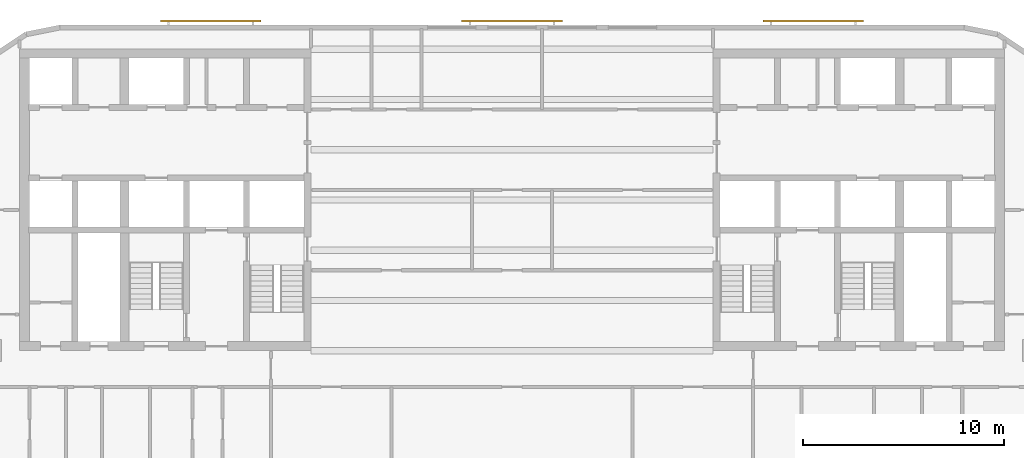
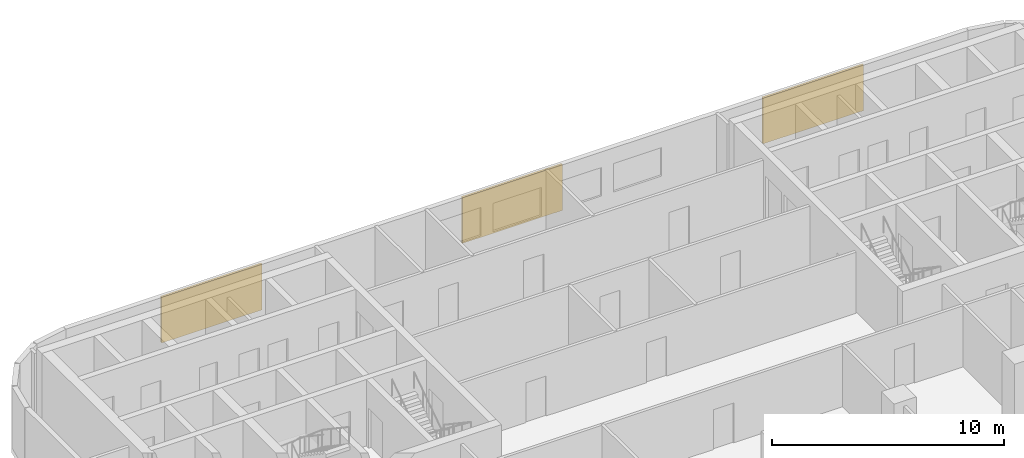
# One storey, part 10 of 11: 3 shading devices.
"""IFC4 building model written with IfcOpenShell, lengths in metres."""

from ifc_helpers import new_model, si_unit, direction, frame, origin, origin_2d, place, context, subcontext, project, spatial, rectangle, extrude, material, layer, layer_set, type_object, element, save


model = new_model("IFC4")

# Units and contexts
model_context = context("Model", 3, precision=1e-05, world=origin(), true_north=direction((0.0, 1.0)))
body_context = subcontext(model_context, "Body", "Model", "MODEL_VIEW")
ifc_project = project(units=[si_unit("LENGTHUNIT", "METRE"), si_unit("AREAUNIT", "SQUARE_METRE"), si_unit("VOLUMEUNIT", "CUBIC_METRE"), si_unit("PLANEANGLEUNIT", "RADIAN"), si_unit("MASSUNIT", "GRAM", prefix="KILO")], contexts=[model_context])

# Site, building, storey
site_placement = place(None, origin())
site = spatial("IfcSite", under=ifc_project, at=site_placement, CompositionType="ELEMENT")
building_placement = place(site_placement, origin())
building = spatial("IfcBuilding", under=site, at=building_placement, Name="Torana Hotel and Residences", CompositionType="ELEMENT")
storey_placement = place(building_placement, frame((0.0, 0.0, 222.10009765625)))
storey = spatial("IfcBuildingStorey", under=building, at=storey_placement, Name="L58", CompositionType="ELEMENT", Elevation=222.10009765625)

# Shading devices
ifc_material = material(Name="Concrete C40/50 precast", Category="concrete")
ifc_layer = layer(ifc_material, 0.10009765625)
ifc_layer_set = layer_set([ifc_layer], Name="SC1 PERFORATED BLOCK SCREEN PANEL 100")
shading_device_type = type_object("IfcShadingDeviceType", Name="SC1 PERFORATED BLOCK SCREEN PANEL 100", PredefinedType="USERDEFINED", material=ifc_layer_set)
for number, where, z_axis, x_axis, name in (
    (1, (14.983642578125, 1.39990234375, 0.5), (0.0, 0.0, 1.0), (-1.0, 0.0, 0.0), "Perforated block screen L58"),
    (2, (0.0, 1.39990234375, 0.5), (0.0, 0.0, 1.0), (-1.0, 0.0, 0.0), "Perforated block screen L58"),
    (3, (-14.983642578125, 1.39990234375, 0.5), (0.0, 0.0, 1.0), (-1.0, 0.0, 0.0), "Perforated block screen L58"),
):
    element("IfcShadingDevice", number, at=place(storey_placement, frame(where, z_axis=z_axis, x_axis=x_axis)), inside=storey, type_object=shading_device_type, Name=name, ObjectType="SCREEN", PredefinedType="USERDEFINED", context=body_context, shape_type="SweptSolid", body=[
        extrude(rectangle(XDim=5.0, YDim=0.10009765625, at=origin_2d()), origin(), (0.0, 0.0, 1.0), 2.419921875),
    ])

save(model, "model.ifc")
